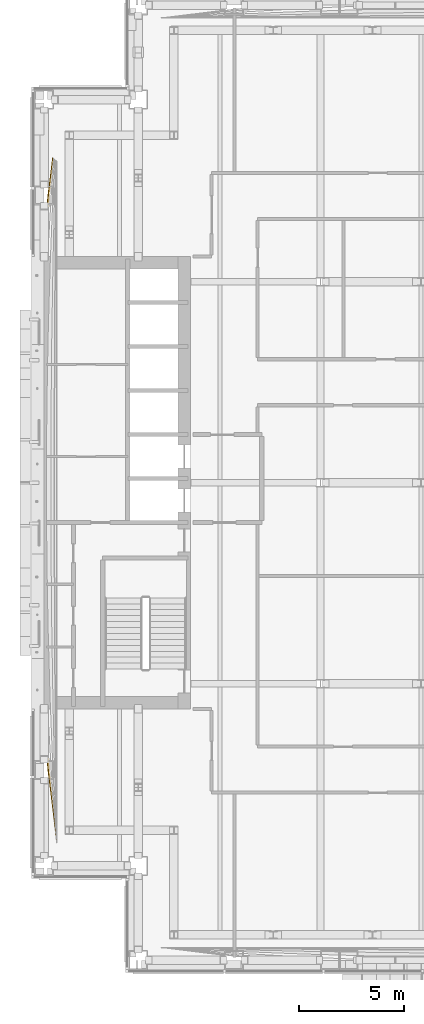
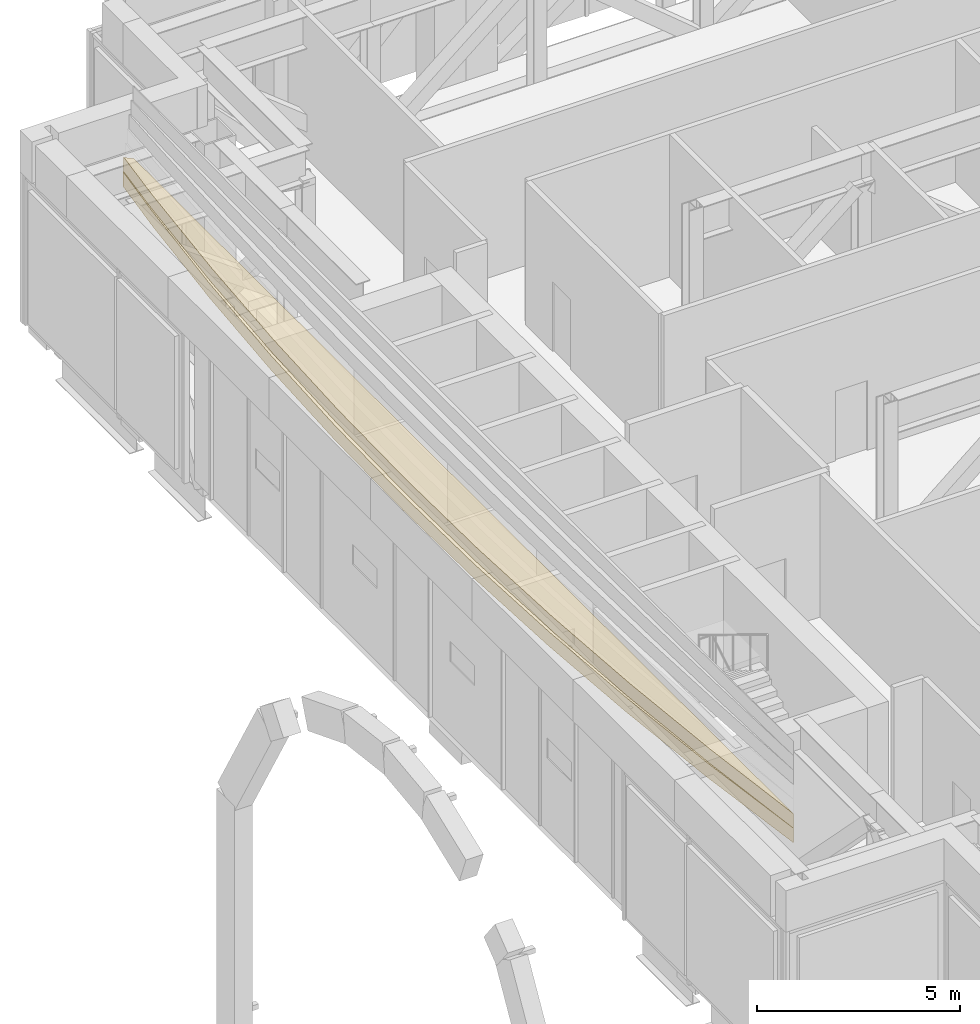
# One storey, part 20 of 38: 2 coverings.
"""IFC4 building model written with IfcOpenShell, lengths in metres."""

from ifc_helpers import new_model, si_unit, direction, frame, origin, place, context, subcontext, project, spatial, polyline, outline, extrude, material, type_object, element, save


model = new_model("IFC4")

# Units and contexts
model_context = context("Model", 3, precision=1e-05, world=origin(), true_north=direction((0.0, 1.0)))
body_context = subcontext(model_context, "Body", "Model", "MODEL_VIEW")
ifc_project = project(units=[si_unit("LENGTHUNIT", "METRE"), si_unit("AREAUNIT", "SQUARE_METRE"), si_unit("VOLUMEUNIT", "CUBIC_METRE"), si_unit("PLANEANGLEUNIT", "RADIAN"), si_unit("MASSUNIT", "GRAM", prefix="KILO")], contexts=[model_context])

# Site, building, storey
site_placement = place(None, origin())
site = spatial("IfcSite", under=ifc_project, at=site_placement, CompositionType="ELEMENT")
building_placement = place(site_placement, origin())
building = spatial("IfcBuilding", under=site, at=building_placement, Name="Cobrizo Arcos Hotel Tower", CompositionType="ELEMENT")
storey_placement = place(building_placement, frame((0.0, 0.0, 138.0)))
storey = spatial("IfcBuildingStorey", under=building, at=storey_placement, Name="L35", CompositionType="ELEMENT", Elevation=138.0)

# Coverings
ifc_material = material(Name="Aluminium 6063-T6 anodised pale", Category="aluminium")
covering_type = type_object("IfcCoveringType", Name="LF-2 setback roll course", PredefinedType="CLADDING", material=ifc_material)
covering_1_placement = place(storey_placement, frame((0.0, 0.0, 5.75)))
element("IfcCovering", 1, at=covering_1_placement, inside=storey, type_object=covering_type, Name="Setback roll L35 W", PredefinedType="CLADDING", context=body_context, shape_type="SweptSolid", body=[
    extrude(outline(polyline([(-22.199951171875, -17.199951171875), (-22.627197265625, -13.760009765625), (-22.95947265625, -10.320068359375), (-23.19677734375, -6.8798828125), (-23.339111328125, -3.43994140625), (-23.386474609375, 0.0), (-23.339111328125, 3.43994140625), (-23.19677734375, 6.8798828125), (-22.95947265625, 10.320068359375), (-22.627197265625, 13.760009765625), (-22.40478515625, 15.5498046875), (-22.331298828125, 15.468505859375), (-22.215087890625, 15.36328125), (-22.199951171875, 15.35205078125), (-22.199951171875, -17.199951171875)])), origin(), (0.0, 0.0, 1.0), 0.4375),
])
covering_2_placement = place(storey_placement, frame((0.0, 0.0, 6.1875)))
element("IfcCovering", 2, at=covering_2_placement, inside=storey, type_object=covering_type, Name="Setback roll L35 W", PredefinedType="CLADDING", context=body_context, shape_type="SweptSolid", body=[
    extrude(outline(polyline([(-22.199951171875, -17.199951171875), (-22.592041015625, -13.760009765625), (-22.897216796875, -10.320068359375), (-23.114990234375, -6.8798828125), (-23.24560546875, -3.43994140625), (-23.289306640625, 0.0), (-23.24560546875, 3.43994140625), (-23.114990234375, 6.8798828125), (-22.897216796875, 10.320068359375), (-22.592041015625, 13.760009765625), (-22.389892578125, 15.533203125), (-22.331298828125, 15.468505859375), (-22.215087890625, 15.36328125), (-22.199951171875, 15.35205078125), (-22.199951171875, -17.199951171875)])), origin(), (0.0, 0.0, 1.0), 0.4375),
])

save(model, "model.ifc")
